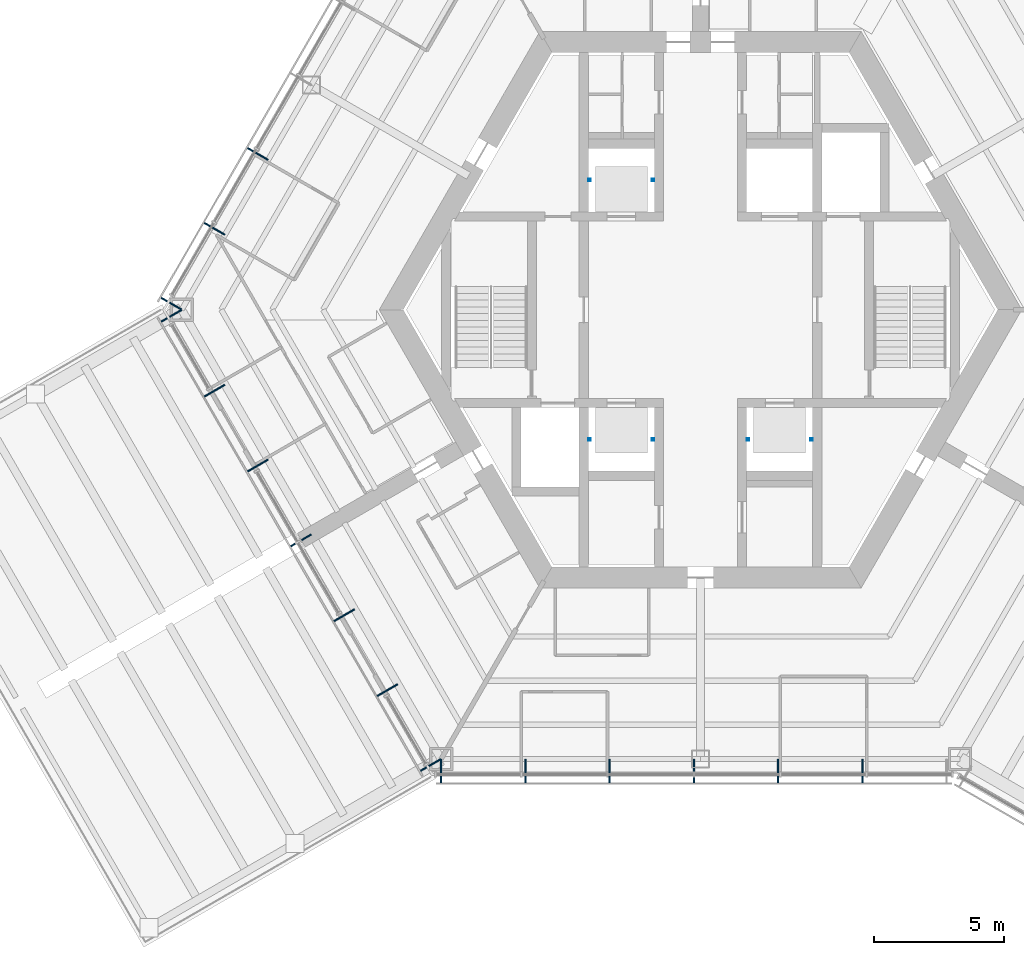
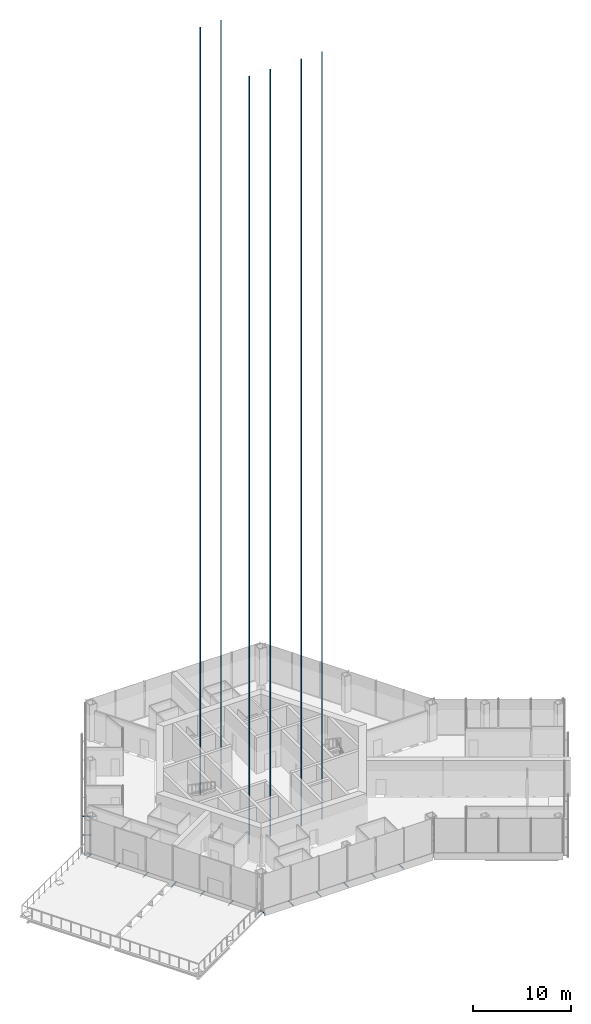
# One storey, part 13 of 17: 19 discrete accessories.
"""IFC4 building model written with IfcOpenShell, lengths in metres."""

from ifc_helpers import new_model, si_unit, direction, frame, origin, origin_2d, place, context, subcontext, project, spatial, rectangle, hollow_circle, extrude, material, material_profile, profile_set, type_object, element, save


model = new_model("IFC4")

# Units and contexts
model_context = context("Model", 3, precision=1e-05, world=origin(), true_north=direction((0.0, 1.0)))
body_context = subcontext(model_context, "Body", "Model", "MODEL_VIEW")
ifc_project = project(units=[si_unit("LENGTHUNIT", "METRE"), si_unit("AREAUNIT", "SQUARE_METRE"), si_unit("VOLUMEUNIT", "CUBIC_METRE"), si_unit("PLANEANGLEUNIT", "RADIAN"), si_unit("MASSUNIT", "GRAM", prefix="KILO")], contexts=[model_context])

# Site, building, storey
site_placement = place(None, origin())
site = spatial("IfcSite", under=ifc_project, at=site_placement, CompositionType="ELEMENT")
building_placement = place(site_placement, origin())
building = spatial("IfcBuilding", under=site, at=building_placement, Name="Kasaneha Research Tower", CompositionType="ELEMENT")
storey_placement = place(building_placement, frame((0.0, 0.0, 208.300048828125)))
storey = spatial("IfcBuildingStorey", under=building, at=storey_placement, Name="L52", CompositionType="ELEMENT", Elevation=208.300048828125)

# Discrete accessories
ifc_material_1 = material(Name="Steel SN400B", Category="steel")
discrete_accessory_type_1 = type_object("IfcDiscreteAccessoryType", Name="Lift guide rail 100x100", PredefinedType="USERDEFINED", material=ifc_material_1)
discrete_accessory_1_placement = place(storey_placement, frame((0.0, 0.0, -208.300048828125)))
element("IfcDiscreteAccessory", 1, at=discrete_accessory_1_placement, inside=storey, type_object=discrete_accessory_type_1, Name="Lift LH3 guide rails", ObjectType="GUIDE RAIL", PredefinedType="USERDEFINED", context=body_context, shape_type="SweptSolid", body=[
    extrude(rectangle(XDim=0.10009765625, YDim=0.10009765625, at=origin_2d()), frame((1.824951171875, -5.0, 206.75)), (0.0, 0.0, 1.0), 95.5),
    extrude(rectangle(XDim=0.10009765625, YDim=0.10009765625, at=origin_2d()), frame((4.27490234375, -5.0, 206.75)), (0.0, 0.0, 1.0), 95.5),
])
discrete_accessory_2_placement = place(storey_placement, frame((0.0, 0.0, -208.300048828125)))
element("IfcDiscreteAccessory", 2, at=discrete_accessory_2_placement, inside=storey, type_object=discrete_accessory_type_1, Name="Lift LH2 guide rails", ObjectType="GUIDE RAIL", PredefinedType="USERDEFINED", context=body_context, shape_type="SweptSolid", body=[
    extrude(rectangle(XDim=0.10009765625, YDim=0.10009765625, at=origin_2d()), frame((-4.27490234375, 5.0, 206.75)), (0.0, 0.0, 1.0), 95.5),
    extrude(rectangle(XDim=0.10009765625, YDim=0.10009765625, at=origin_2d()), frame((-1.824951171875, 5.0, 206.75)), (0.0, 0.0, 1.0), 95.5),
])
discrete_accessory_3_placement = place(storey_placement, frame((0.0, 0.0, -208.300048828125)))
element("IfcDiscreteAccessory", 3, at=discrete_accessory_3_placement, inside=storey, type_object=discrete_accessory_type_1, Name="Lift LH1 guide rails", ObjectType="GUIDE RAIL", PredefinedType="USERDEFINED", context=body_context, shape_type="SweptSolid", body=[
    extrude(rectangle(XDim=0.10009765625, YDim=0.10009765625, at=origin_2d()), frame((-4.27490234375, -5.0, 206.75)), (0.0, 0.0, 1.0), 95.5),
    extrude(rectangle(XDim=0.10009765625, YDim=0.10009765625, at=origin_2d()), frame((-1.824951171875, -5.0, 206.75)), (0.0, 0.0, 1.0), 95.5),
])
ifc_material_2 = material(Name="Steel STK400", Category="steel")
ifc_material_profile = material_profile(ifc_material_2, hollow_circle(Radius=0.0380859375, WallThickness=0.00390625, at=origin_2d()), Name="CHS-76.3x4.0")
ifc_profile_set = profile_set([ifc_material_profile], Name="Steel STK400")
discrete_accessory_type_2 = type_object("IfcDiscreteAccessoryType", Name="Screen bracket CHS-76.3x4.0", PredefinedType="BRACKET", material=ifc_profile_set)
for number, where, z_axis, x_axis, name in (
    (4, (-16.666015625, 5.774658203125, -0.35009765625), (-0.866079547155, 0.499906209203, 0.0), (-0.499906209203, -0.866079547155, 0.0), "Screen bracket 5"),
    (5, (-18.33203125, 2.888916015625, -0.35009765625), (-0.866079547155, 0.499906209203, 0.0), (-0.499906209203, -0.866079547155, 0.0), "Screen bracket 6"),
):
    element("IfcDiscreteAccessory", number, at=place(storey_placement, frame(where, z_axis=z_axis, x_axis=x_axis)), inside=storey, type_object=discrete_accessory_type_2, Name=name, PredefinedType="BRACKET", context=body_context, shape_type="SweptSolid", body=[
        extrude(hollow_circle(Radius=0.0380859375, WallThickness=0.00390625, at=origin_2d()), origin(), (0.0, 0.0, 1.0), 0.920166015625),
    ])
for number, where, z_axis, x_axis, name in (
    (6, (-19.998291015625, 0.003173828125, -0.35009765625), (-0.866013213425, 0.500021113727, 0.0), (-0.500021113727, -0.866013213425, 0.0), "Screen bracket 7"),
    (7, (-19.998291015625, -0.003173828125, -0.35009765625), (-0.866013213425, -0.500021113727, 0.0), (0.500021113727, -0.866013213425, 0.0), "Screen bracket 1"),
):
    element("IfcDiscreteAccessory", number, at=place(storey_placement, frame(where, z_axis=z_axis, x_axis=x_axis)), inside=storey, type_object=discrete_accessory_type_2, Name=name, PredefinedType="BRACKET", context=body_context, shape_type="SweptSolid", body=[
        extrude(hollow_circle(Radius=0.0380859375, WallThickness=0.00390625, at=origin_2d()), origin(), (0.0, 0.0, 1.0), 0.919921875),
    ])
for number, where, z_axis, x_axis, name in (
    (8, (-18.33203125, -2.888916015625, -0.35009765625), (-0.866079547155, -0.499906209203, 0.0), (0.499906209203, -0.866079547155, 0.0), "Screen bracket 2"),
    (9, (-16.666015625, -5.774658203125, -0.35009765625), (-0.866079547155, -0.499906209203, 0.0), (0.499906209203, -0.866079547155, 0.0), "Screen bracket 3"),
):
    element("IfcDiscreteAccessory", number, at=place(storey_placement, frame(where, z_axis=z_axis, x_axis=x_axis)), inside=storey, type_object=discrete_accessory_type_2, Name=name, PredefinedType="BRACKET", context=body_context, shape_type="SweptSolid", body=[
        extrude(hollow_circle(Radius=0.0380859375, WallThickness=0.00390625, at=origin_2d()), origin(), (0.0, 0.0, 1.0), 0.920166015625),
    ])
for number, where, z_axis, x_axis, name in (
    (10, (-15.0, -8.66015625, -0.35009765625), (-0.865898279276, -0.500220121494, 0.0), (0.500220121494, -0.865898279276, 0.0), "Screen bracket 4"),
    (11, (-13.333984375, -11.5458984375, -0.35009765625), (-0.866013213425, -0.500021113727, 0.0), (0.500021113727, -0.866013213425, 0.0), "Screen bracket 5"),
    (12, (-11.66796875, -14.431640625, -0.35009765625), (-0.866013213425, -0.500021113727, 0.0), (0.500021113727, -0.866013213425, 0.0), "Screen bracket 6"),
):
    element("IfcDiscreteAccessory", number, at=place(storey_placement, frame(where, z_axis=z_axis, x_axis=x_axis)), inside=storey, type_object=discrete_accessory_type_2, Name=name, PredefinedType="BRACKET", context=body_context, shape_type="SweptSolid", body=[
        extrude(hollow_circle(Radius=0.0380859375, WallThickness=0.00390625, at=origin_2d()), origin(), (0.0, 0.0, 1.0), 0.919921875),
    ])
discrete_accessory_4_placement = place(storey_placement, frame((-10.001708984375, -17.3173828125, -0.35009765625), z_axis=(-0.866079547155, -0.499906209203, 0.0), x_axis=(0.499906209203, -0.866079547155, 0.0)))
element("IfcDiscreteAccessory", 13, at=discrete_accessory_4_placement, inside=storey, type_object=discrete_accessory_type_2, Name="Screen bracket 7", PredefinedType="BRACKET", context=body_context, shape_type="SweptSolid", body=[
    extrude(hollow_circle(Radius=0.0380859375, WallThickness=0.00390625, at=origin_2d()), origin(), (0.0, 0.0, 1.0), 0.920166015625),
])
for number, where, z_axis, x_axis, name in (
    (14, (-9.996337890625, -17.320556640625, -0.35009765625), (0.0, -1.0, 0.0), (1.0, 0.0, 0.0), "Screen bracket 1"),
    (15, (-6.748779296875, -17.320556640625, -0.35009765625), (0.0, -1.0, 0.0), (1.0, 0.0, 0.0), "Screen bracket 2"),
    (16, (-3.501220703125, -17.320556640625, -0.35009765625), (0.0, -1.0, 0.0), (1.0, 0.0, 0.0), "Screen bracket 3"),
    (17, (-0.253662109375, -17.320556640625, -0.35009765625), (0.0, -1.0, 0.0), (1.0, 0.0, 0.0), "Screen bracket 4"),
    (18, (2.993896484375, -17.320556640625, -0.35009765625), (0.0, -1.0, 0.0), (1.0, 0.0, 0.0), "Screen bracket 5"),
    (19, (6.24169921875, -17.320556640625, -0.35009765625), (0.0, -1.0, 0.0), (1.0, 0.0, 0.0), "Screen bracket 6"),
):
    element("IfcDiscreteAccessory", number, at=place(storey_placement, frame(where, z_axis=z_axis, x_axis=x_axis)), inside=storey, type_object=discrete_accessory_type_2, Name=name, PredefinedType="BRACKET", context=body_context, shape_type="SweptSolid", body=[
        extrude(hollow_circle(Radius=0.0380859375, WallThickness=0.00390625, at=origin_2d()), origin(), (0.0, 0.0, 1.0), 0.919921875),
    ])

save(model, "model.ifc")
